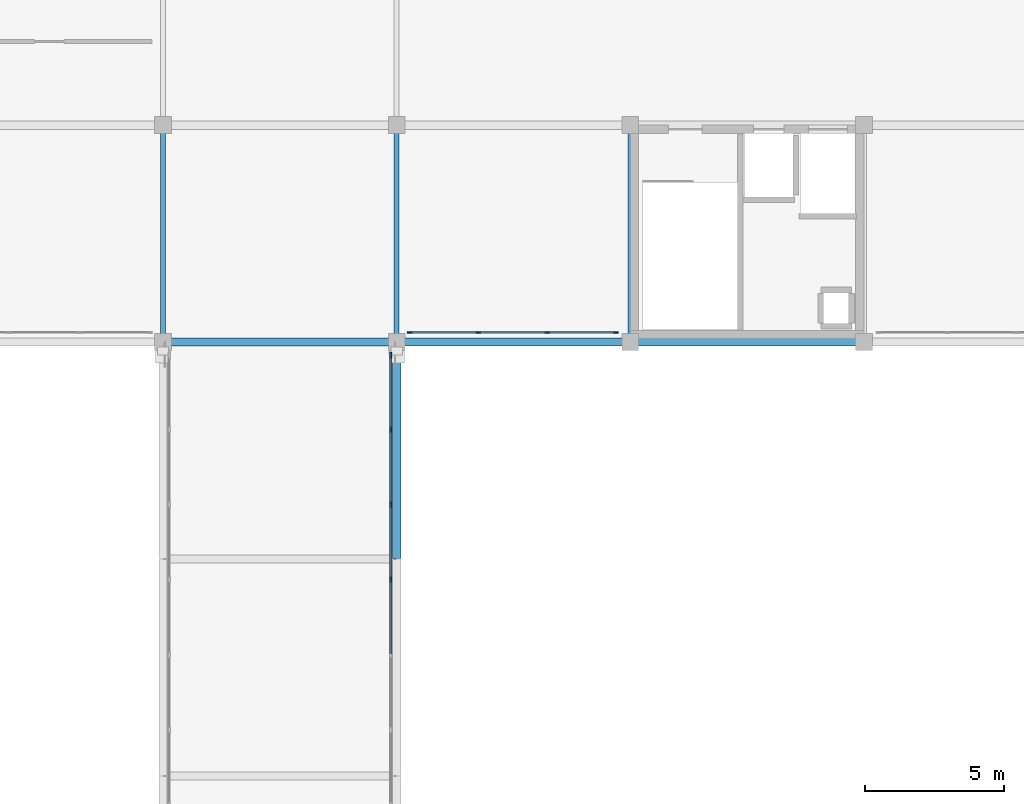
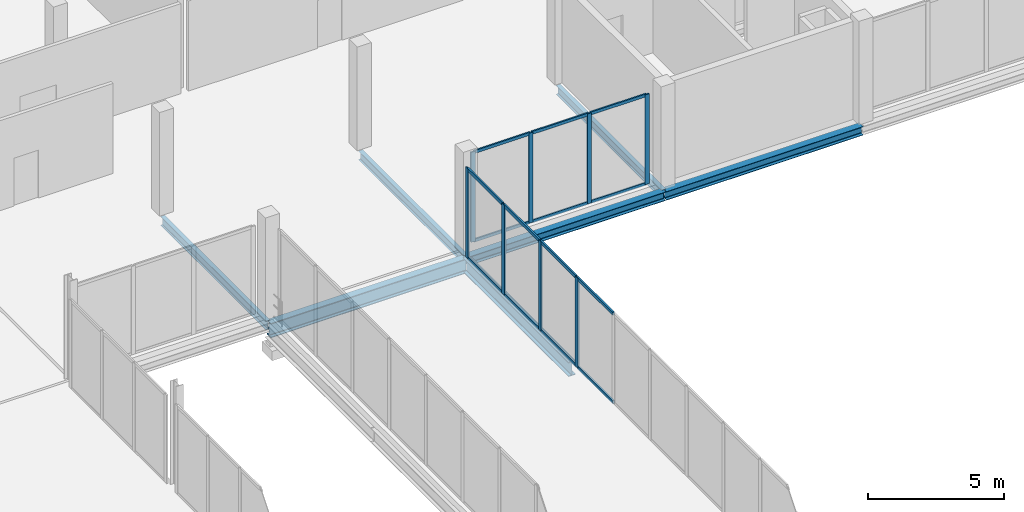
# One storey, part 40 of 98: 22 members, 7 beams, 2 elements without a shape of their own.
"""IFC4 building model written with IfcOpenShell, lengths in metres."""

from ifc_helpers import new_model, si_unit, direction, frame, origin, origin_2d, place, context, subcontext, project, spatial, rectangle, i_section, extrude, material, material_profile, profile_set, type_object, element, aggregate, save


model = new_model("IFC4")

# Units and contexts
model_context = context("Model", 3, precision=1e-05, world=origin(), true_north=direction((0.0, 1.0)))
body_context = subcontext(model_context, "Body", "Model", "MODEL_VIEW")
ifc_project = project(units=[si_unit("LENGTHUNIT", "METRE"), si_unit("AREAUNIT", "SQUARE_METRE"), si_unit("VOLUMEUNIT", "CUBIC_METRE"), si_unit("PLANEANGLEUNIT", "RADIAN"), si_unit("MASSUNIT", "GRAM", prefix="KILO")], contexts=[model_context])

# Site, building, storey
site_placement = place(None, origin())
site = spatial("IfcSite", under=ifc_project, at=site_placement, CompositionType="ELEMENT")
building_placement = place(site_placement, origin())
building = spatial("IfcBuilding", under=site, at=building_placement, Name="Nabrawat Pavilion Hospital", CompositionType="ELEMENT")
storey_placement = place(building_placement, frame((0.0, 0.0, 10.199951171875)))
storey = spatial("IfcBuildingStorey", under=building, at=storey_placement, Name="L02", CompositionType="ELEMENT", Elevation=10.199951171875)

# Beams
ifc_material_1 = material(Name="Steel S355", Category="steel")
ifc_material_profile_1 = material_profile(ifc_material_1, i_section(OverallWidth=0.300048828125, OverallDepth=0.64990234375, WebThickness=0.01611328125, FlangeThickness=0.031005859375, FilletRadius=0.027099609375, at=origin_2d()), Name="HEB 650")
ifc_profile_set_1 = profile_set([ifc_material_profile_1], Name="Steel S355")
beam_type_1 = type_object("IfcBeamType", Name="Courtyard Link Bridge Edge Girder HEB 650", PredefinedType="USERDEFINED", material=ifc_profile_set_1)
beam_1_placement = place(storey_placement, frame((67.219970703125, 85.800048828125, -0.614990234375), z_axis=(1.0, 0.0, 0.0), x_axis=(0.0, 1.0, 0.0)))
element("IfcBeam", 1, at=beam_1_placement, inside=storey, type_object=beam_type_1, Name="L02 Courtyard Link Bridge Girder 1085", ObjectType="GIRDER", PredefinedType="USERDEFINED", context=body_context, shape_type="SweptSolid", body=[
    extrude(i_section(OverallWidth=0.300048828125, OverallDepth=0.64990234375, WebThickness=0.01611328125, FlangeThickness=0.031005859375, FilletRadius=0.027099609375, at=origin_2d()), origin(), (0.0, 0.0, 1.0), 8.360107421875),
])
beam_2_placement = place(storey_placement, frame((75.60009765625, 78.02001953125, -0.614990234375), z_axis=(0.0, 1.0, 0.0), x_axis=(-1.0, 0.0, 0.0)))
element("IfcBeam", 2, at=beam_2_placement, inside=storey, type_object=beam_type_1, Name="L02 Courtyard Link Bridge Edge Girder 1251", ObjectType="GIRDER", PredefinedType="USERDEFINED", context=body_context, shape_type="SweptSolid", body=[
    extrude(i_section(OverallWidth=0.300048828125, OverallDepth=0.64990234375, WebThickness=0.01611328125, FlangeThickness=0.031005859375, FilletRadius=0.027099609375, at=origin_2d()), origin(), (0.0, 0.0, 1.0), 7.760009765625),
])

# Curtain wall, members
ifc_material_2 = material(Name="Anodised Aluminium", Category="aluminium")
curtain_wall_type_1 = type_object("IfcCurtainWallType", Name="Courtyard Link Bridge Glazed Curtain Wall", PredefinedType="USERDEFINED", material=ifc_material_2)
curtain_wall_1_placement = place(storey_placement, origin())
curtain_wall_1 = element("IfcCurtainWall", 3, at=curtain_wall_1_placement, inside=storey, type_object=curtain_wall_type_1, Name="L02 Courtyard Link Bridge Glazed Curtain Wall 118", ObjectType="CURTAIN WALL", PredefinedType="USERDEFINED")
ifc_material_profile_2 = material_profile(ifc_material_2, rectangle(XDim=0.070068359375, YDim=0.199951171875, at=origin_2d()), Name="CWM 70x200")
ifc_profile_set_2 = profile_set([ifc_material_profile_2], Name="Anodised Aluminium")
member_type_1 = type_object("IfcMemberType", Name="Courtyard Link Bridge Glazed Curtain Wall Mullion CWM 70x200", PredefinedType="MULLION", material=ifc_profile_set_2)
member_1_placement = place(storey_placement, frame((75.3798828125, 77.256591796875, 0.0), z_axis=(0.0, 0.0, 1.0), x_axis=(-1.0, 0.0, 0.0)))
member_1 = element("IfcMember", 4, at=member_1_placement, type_object=member_type_1, Name="CW-BRG-01 mullion 15", PredefinedType="MULLION", context=body_context, shape_type="SweptSolid", body=[
    extrude(rectangle(XDim=0.070068359375, YDim=0.199951171875, at=origin_2d()), origin(), (0.0, 0.0, 1.0), 4.0400390625),
])
member_2_placement = place(storey_placement, frame((75.3798828125, 79.957763671875, 0.0), z_axis=(0.0, 0.0, 1.0), x_axis=(-1.0, 0.0, 0.0)))
member_2 = element("IfcMember", 5, at=member_2_placement, type_object=member_type_1, Name="CW-BRG-01 mullion 16", PredefinedType="MULLION", context=body_context, shape_type="SweptSolid", body=[
    extrude(rectangle(XDim=0.070068359375, YDim=0.199951171875, at=origin_2d()), origin(), (0.0, 0.0, 1.0), 4.0400390625),
])
member_3_placement = place(storey_placement, frame((75.3798828125, 82.658935546875, 0.0), z_axis=(0.0, 0.0, 1.0), x_axis=(-1.0, 0.0, 0.0)))
member_3 = element("IfcMember", 6, at=member_3_placement, type_object=member_type_1, Name="CW-BRG-01 mullion 17", PredefinedType="MULLION", context=body_context, shape_type="SweptSolid", body=[
    extrude(rectangle(XDim=0.070068359375, YDim=0.199951171875, at=origin_2d()), origin(), (0.0, 0.0, 1.0), 4.0400390625),
])
member_4_placement = place(storey_placement, frame((75.3798828125, 85.324951171875, 0.0), z_axis=(0.0, 0.0, 1.0), x_axis=(-1.0, 0.0, 0.0)))
member_4 = element("IfcMember", 7, at=member_4_placement, type_object=member_type_1, Name="CW-BRG-01 mullion 18", PredefinedType="MULLION", context=body_context, shape_type="SweptSolid", body=[
    extrude(rectangle(XDim=0.070068359375, YDim=0.199951171875, at=origin_2d()), origin(), (0.0, 0.0, 1.0), 4.0400390625),
])
ifc_material_profile_3 = material_profile(ifc_material_2, rectangle(XDim=0.070068359375, YDim=0.14990234375, at=origin_2d()), Name="CWT 70x150")
ifc_profile_set_3 = profile_set([ifc_material_profile_3], Name="Anodised Aluminium")
member_type_2 = type_object("IfcMemberType", Name="Courtyard Link Bridge Glazed Curtain Wall Transom CWT 70x150", PredefinedType="USERDEFINED", material=ifc_profile_set_3)
member_5_placement = place(storey_placement, frame((75.3798828125, 74.59033203125, 0.03515625), z_axis=(0.0, 1.0, 0.0), x_axis=(-1.0, 0.0, 0.0)))
member_5 = element("IfcMember", 8, at=member_5_placement, type_object=member_type_2, Name="CW-BRG-01 transom 14.1", ObjectType="TRANSOM", PredefinedType="USERDEFINED", context=body_context, shape_type="SweptSolid", body=[
    extrude(rectangle(XDim=0.070068359375, YDim=0.14990234375, at=origin_2d()), origin(), (0.0, 0.0, 1.0), 2.631103515625),
])
member_6_placement = place(storey_placement, frame((75.3798828125, 74.59033203125, 4.005126953125), z_axis=(0.0, 1.0, 0.0), x_axis=(-1.0, 0.0, 0.0)))
member_6 = element("IfcMember", 9, at=member_6_placement, type_object=member_type_2, Name="CW-BRG-01 transom 14.2", ObjectType="TRANSOM", PredefinedType="USERDEFINED", context=body_context, shape_type="SweptSolid", body=[
    extrude(rectangle(XDim=0.070068359375, YDim=0.14990234375, at=origin_2d()), origin(), (0.0, 0.0, 1.0), 2.631103515625),
])
member_7_placement = place(storey_placement, frame((75.3798828125, 77.29150390625, 0.03515625), z_axis=(0.0, 1.0, 0.0), x_axis=(-1.0, 0.0, 0.0)))
member_7 = element("IfcMember", 10, at=member_7_placement, type_object=member_type_2, Name="CW-BRG-01 transom 15.1", ObjectType="TRANSOM", PredefinedType="USERDEFINED", context=body_context, shape_type="SweptSolid", body=[
    extrude(rectangle(XDim=0.070068359375, YDim=0.14990234375, at=origin_2d()), origin(), (0.0, 0.0, 1.0), 2.631103515625),
])
member_8_placement = place(storey_placement, frame((75.3798828125, 77.29150390625, 4.005126953125), z_axis=(0.0, 1.0, 0.0), x_axis=(-1.0, 0.0, 0.0)))
member_8 = element("IfcMember", 11, at=member_8_placement, type_object=member_type_2, Name="CW-BRG-01 transom 15.2", ObjectType="TRANSOM", PredefinedType="USERDEFINED", context=body_context, shape_type="SweptSolid", body=[
    extrude(rectangle(XDim=0.070068359375, YDim=0.14990234375, at=origin_2d()), origin(), (0.0, 0.0, 1.0), 2.631103515625),
])
member_9_placement = place(storey_placement, frame((75.3798828125, 79.99267578125, 0.03515625), z_axis=(0.0, 1.0, 0.0), x_axis=(-1.0, 0.0, 0.0)))
member_9 = element("IfcMember", 12, at=member_9_placement, type_object=member_type_2, Name="CW-BRG-01 transom 16.1", ObjectType="TRANSOM", PredefinedType="USERDEFINED", context=body_context, shape_type="SweptSolid", body=[
    extrude(rectangle(XDim=0.070068359375, YDim=0.14990234375, at=origin_2d()), origin(), (0.0, 0.0, 1.0), 2.631103515625),
])
member_10_placement = place(storey_placement, frame((75.3798828125, 79.99267578125, 4.005126953125), z_axis=(0.0, 1.0, 0.0), x_axis=(-1.0, 0.0, 0.0)))
member_10 = element("IfcMember", 13, at=member_10_placement, type_object=member_type_2, Name="CW-BRG-01 transom 16.2", ObjectType="TRANSOM", PredefinedType="USERDEFINED", context=body_context, shape_type="SweptSolid", body=[
    extrude(rectangle(XDim=0.070068359375, YDim=0.14990234375, at=origin_2d()), origin(), (0.0, 0.0, 1.0), 2.631103515625),
])
member_11_placement = place(storey_placement, frame((75.3798828125, 82.69384765625, 0.03515625), z_axis=(0.0, 1.0, 0.0), x_axis=(-1.0, 0.0, 0.0)))
member_11 = element("IfcMember", 14, at=member_11_placement, type_object=member_type_2, Name="CW-BRG-01 transom 17.1", ObjectType="TRANSOM", PredefinedType="USERDEFINED", context=body_context, shape_type="SweptSolid", body=[
    extrude(rectangle(XDim=0.070068359375, YDim=0.14990234375, at=origin_2d()), origin(), (0.0, 0.0, 1.0), 2.59619140625),
])
member_12_placement = place(storey_placement, frame((75.3798828125, 82.69384765625, 4.005126953125), z_axis=(0.0, 1.0, 0.0), x_axis=(-1.0, 0.0, 0.0)))
member_12 = element("IfcMember", 15, at=member_12_placement, type_object=member_type_2, Name="CW-BRG-01 transom 17.2", ObjectType="TRANSOM", PredefinedType="USERDEFINED", context=body_context, shape_type="SweptSolid", body=[
    extrude(rectangle(XDim=0.070068359375, YDim=0.14990234375, at=origin_2d()), origin(), (0.0, 0.0, 1.0), 2.59619140625),
])
aggregate(curtain_wall_1, [member_1, member_2, member_3, member_4, member_5, member_6, member_7, member_8, member_9, member_10, member_11, member_12])

curtain_wall_type_2 = type_object("IfcCurtainWallType", Name="Healing Garden Cloister Curtain Wall", PredefinedType="USERDEFINED", material=ifc_material_2)
curtain_wall_2_placement = place(storey_placement, origin())
curtain_wall_2 = element("IfcCurtainWall", 16, at=curtain_wall_2_placement, inside=storey, type_object=curtain_wall_type_2, Name="L02 Healing Garden Cloister Curtain Wall 123", ObjectType="CURTAIN WALL", PredefinedType="USERDEFINED")
ifc_material_profile_4 = material_profile(ifc_material_2, rectangle(XDim=0.06494140625, YDim=0.179931640625, at=origin_2d()), Name="CWM 65x180")
ifc_profile_set_4 = profile_set([ifc_material_profile_4], Name="Anodised Aluminium")
member_type_3 = type_object("IfcMemberType", Name="Healing Garden Cloister Curtain Wall Mullion CWM 65x180", PredefinedType="MULLION", material=ifc_profile_set_4)
member_13_placement = place(storey_placement, frame((76.072509765625, 86.139892578125, 0.0), z_axis=(0.0, 0.0, 1.0), x_axis=(0.0, 1.0, 0.0)))
member_13 = element("IfcMember", 17, at=member_13_placement, type_object=member_type_3, Name="CW-CLN-01 mullion 1", PredefinedType="MULLION", context=body_context, shape_type="SweptSolid", body=[
    extrude(rectangle(XDim=0.06494140625, YDim=0.179931640625, at=origin_2d()), origin(), (0.0, 0.0, 1.0), 4.0400390625),
])
member_14_placement = place(storey_placement, frame((78.526611328125, 86.139892578125, 0.0), z_axis=(0.0, 0.0, 1.0), x_axis=(0.0, 1.0, 0.0)))
member_14 = element("IfcMember", 18, at=member_14_placement, type_object=member_type_3, Name="CW-CLN-01 mullion 2", PredefinedType="MULLION", context=body_context, shape_type="SweptSolid", body=[
    extrude(rectangle(XDim=0.06494140625, YDim=0.179931640625, at=origin_2d()), origin(), (0.0, 0.0, 1.0), 4.0400390625),
])
member_15_placement = place(storey_placement, frame((81.013427734375, 86.139892578125, 0.0), z_axis=(0.0, 0.0, 1.0), x_axis=(0.0, 1.0, 0.0)))
member_15 = element("IfcMember", 19, at=member_15_placement, type_object=member_type_3, Name="CW-CLN-01 mullion 3", PredefinedType="MULLION", context=body_context, shape_type="SweptSolid", body=[
    extrude(rectangle(XDim=0.06494140625, YDim=0.179931640625, at=origin_2d()), origin(), (0.0, 0.0, 1.0), 4.0400390625),
])
member_16_placement = place(storey_placement, frame((83.467529296875, 86.139892578125, 0.0), z_axis=(0.0, 0.0, 1.0), x_axis=(0.0, 1.0, 0.0)))
member_16 = element("IfcMember", 20, at=member_16_placement, type_object=member_type_3, Name="CW-CLN-01 mullion 4", PredefinedType="MULLION", context=body_context, shape_type="SweptSolid", body=[
    extrude(rectangle(XDim=0.06494140625, YDim=0.179931640625, at=origin_2d()), origin(), (0.0, 0.0, 1.0), 4.0400390625),
])
ifc_material_profile_5 = material_profile(ifc_material_2, rectangle(XDim=0.06494140625, YDim=0.135009765625, at=origin_2d()), Name="CWT 65x135")
ifc_profile_set_5 = profile_set([ifc_material_profile_5], Name="Anodised Aluminium")
member_type_4 = type_object("IfcMemberType", Name="Healing Garden Cloister Curtain Wall Transom CWT 65x135", PredefinedType="USERDEFINED", material=ifc_profile_set_5)
member_17_placement = place(storey_placement, frame((76.10498046875, 86.139892578125, 0.032470703125), z_axis=(1.0, 0.0, 0.0), x_axis=(0.0, 1.0, 0.0)))
member_17 = element("IfcMember", 21, at=member_17_placement, type_object=member_type_4, Name="CW-CLN-01 transom 1.1", ObjectType="TRANSOM", PredefinedType="USERDEFINED", context=body_context, shape_type="SweptSolid", body=[
    extrude(rectangle(XDim=0.06494140625, YDim=0.135009765625, at=origin_2d()), origin(), (0.0, 0.0, 1.0), 2.38916015625),
])
member_18_placement = place(storey_placement, frame((76.10498046875, 86.139892578125, 4.007568359375), z_axis=(1.0, 0.0, 0.0), x_axis=(0.0, 1.0, 0.0)))
member_18 = element("IfcMember", 22, at=member_18_placement, type_object=member_type_4, Name="CW-CLN-01 transom 1.2", ObjectType="TRANSOM", PredefinedType="USERDEFINED", context=body_context, shape_type="SweptSolid", body=[
    extrude(rectangle(XDim=0.06494140625, YDim=0.135009765625, at=origin_2d()), origin(), (0.0, 0.0, 1.0), 2.38916015625),
])
member_19_placement = place(storey_placement, frame((78.55908203125, 86.139892578125, 0.032470703125), z_axis=(1.0, 0.0, 0.0), x_axis=(0.0, 1.0, 0.0)))
member_19 = element("IfcMember", 23, at=member_19_placement, type_object=member_type_4, Name="CW-CLN-01 transom 2.1", ObjectType="TRANSOM", PredefinedType="USERDEFINED", context=body_context, shape_type="SweptSolid", body=[
    extrude(rectangle(XDim=0.06494140625, YDim=0.135009765625, at=origin_2d()), origin(), (0.0, 0.0, 1.0), 2.421630859375),
])
member_20_placement = place(storey_placement, frame((78.55908203125, 86.139892578125, 4.007568359375), z_axis=(1.0, 0.0, 0.0), x_axis=(0.0, 1.0, 0.0)))
member_20 = element("IfcMember", 24, at=member_20_placement, type_object=member_type_4, Name="CW-CLN-01 transom 2.2", ObjectType="TRANSOM", PredefinedType="USERDEFINED", context=body_context, shape_type="SweptSolid", body=[
    extrude(rectangle(XDim=0.06494140625, YDim=0.135009765625, at=origin_2d()), origin(), (0.0, 0.0, 1.0), 2.421630859375),
])
member_21_placement = place(storey_placement, frame((81.0458984375, 86.139892578125, 0.032470703125), z_axis=(1.0, 0.0, 0.0), x_axis=(0.0, 1.0, 0.0)))
member_21 = element("IfcMember", 25, at=member_21_placement, type_object=member_type_4, Name="CW-CLN-01 transom 3.1", ObjectType="TRANSOM", PredefinedType="USERDEFINED", context=body_context, shape_type="SweptSolid", body=[
    extrude(rectangle(XDim=0.06494140625, YDim=0.135009765625, at=origin_2d()), origin(), (0.0, 0.0, 1.0), 2.38916015625),
])
member_22_placement = place(storey_placement, frame((81.0458984375, 86.139892578125, 4.007568359375), z_axis=(1.0, 0.0, 0.0), x_axis=(0.0, 1.0, 0.0)))
member_22 = element("IfcMember", 26, at=member_22_placement, type_object=member_type_4, Name="CW-CLN-01 transom 3.2", ObjectType="TRANSOM", PredefinedType="USERDEFINED", context=body_context, shape_type="SweptSolid", body=[
    extrude(rectangle(XDim=0.06494140625, YDim=0.135009765625, at=origin_2d()), origin(), (0.0, 0.0, 1.0), 2.38916015625),
])
aggregate(curtain_wall_2, [member_13, member_14, member_15, member_16, member_17, member_18, member_19, member_20, member_21, member_22])

# Beams
ifc_material_profile_6 = material_profile(ifc_material_1, i_section(OverallWidth=0.300048828125, OverallDepth=0.389892578125, WebThickness=0.010986328125, FlangeThickness=0.01904296875, FilletRadius=0.027099609375, at=origin_2d()), Name="HEA 400")
ifc_profile_set_6 = profile_set([ifc_material_profile_6], Name="Steel S355")
beam_type_2 = type_object("IfcBeamType", Name="Perimeter Moment Spandrel Beam HEA 400", PredefinedType="SPANDREL", material=ifc_profile_set_6)
for number, where, z_axis, x_axis, name in (
    (27, (75.6201171875, 85.800048828125, -0.445068359375), (1.0, 0.0, 0.0), (0.0, 1.0, 0.0), "L02 Primary X Girder 1086"),
    (28, (84.02001953125, 85.800048828125, -0.445068359375), (1.0, 0.0, 0.0), (0.0, 1.0, 0.0), "L02 Primary X Girder 1087"),
):
    element("IfcBeam", number, at=place(storey_placement, frame(where, z_axis=z_axis, x_axis=x_axis)), inside=storey, type_object=beam_type_2, Name=name, PredefinedType="SPANDREL", context=body_context, shape_type="SweptSolid", body=[
        extrude(i_section(OverallWidth=0.300048828125, OverallDepth=0.389892578125, WebThickness=0.010986328125, FlangeThickness=0.01904296875, FilletRadius=0.027099609375, at=origin_2d()), origin(), (0.0, 0.0, 1.0), 8.35986328125),
    ])
ifc_material_profile_7 = material_profile(ifc_material_1, i_section(OverallWidth=0.179931640625, OverallDepth=0.39990234375, WebThickness=0.008544921875, FlangeThickness=0.013427734375, FilletRadius=0.02099609375, at=origin_2d()), Name="IPE 400")
ifc_profile_set_7 = profile_set([ifc_material_profile_7], Name="Steel S355")
beam_type_3 = type_object("IfcBeamType", Name="Standard Y Floor Beam IPE 400", PredefinedType="BEAM", material=ifc_profile_set_7)
for number, where, z_axis, x_axis, name in (
    (29, (67.199951171875, 85.820068359375, -0.449951171875), (0.0, 1.0, 0.0), (-1.0, 0.0, 0.0), "L02 Primary Y Beam 1243"),
    (30, (75.60009765625, 85.820068359375, -0.449951171875), (0.0, 1.0, 0.0), (-1.0, 0.0, 0.0), "L02 Primary Y Beam 1252"),
    (31, (84.0, 85.820068359375, -0.449951171875), (0.0, 1.0, 0.0), (-1.0, 0.0, 0.0), "L02 Primary Y Beam 1256"),
):
    element("IfcBeam", number, at=place(storey_placement, frame(where, z_axis=z_axis, x_axis=x_axis)), inside=storey, type_object=beam_type_3, Name=name, PredefinedType="BEAM", context=body_context, shape_type="SweptSolid", body=[
        extrude(i_section(OverallWidth=0.179931640625, OverallDepth=0.39990234375, WebThickness=0.008544921875, FlangeThickness=0.013427734375, FilletRadius=0.02099609375, at=origin_2d()), origin(), (0.0, 0.0, 1.0), 7.760009765625),
    ])

save(model, "model.ifc")
